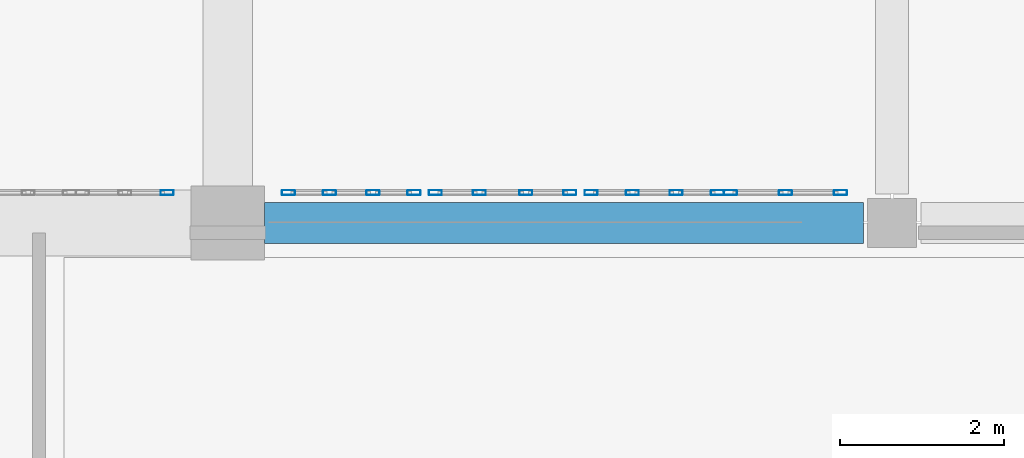
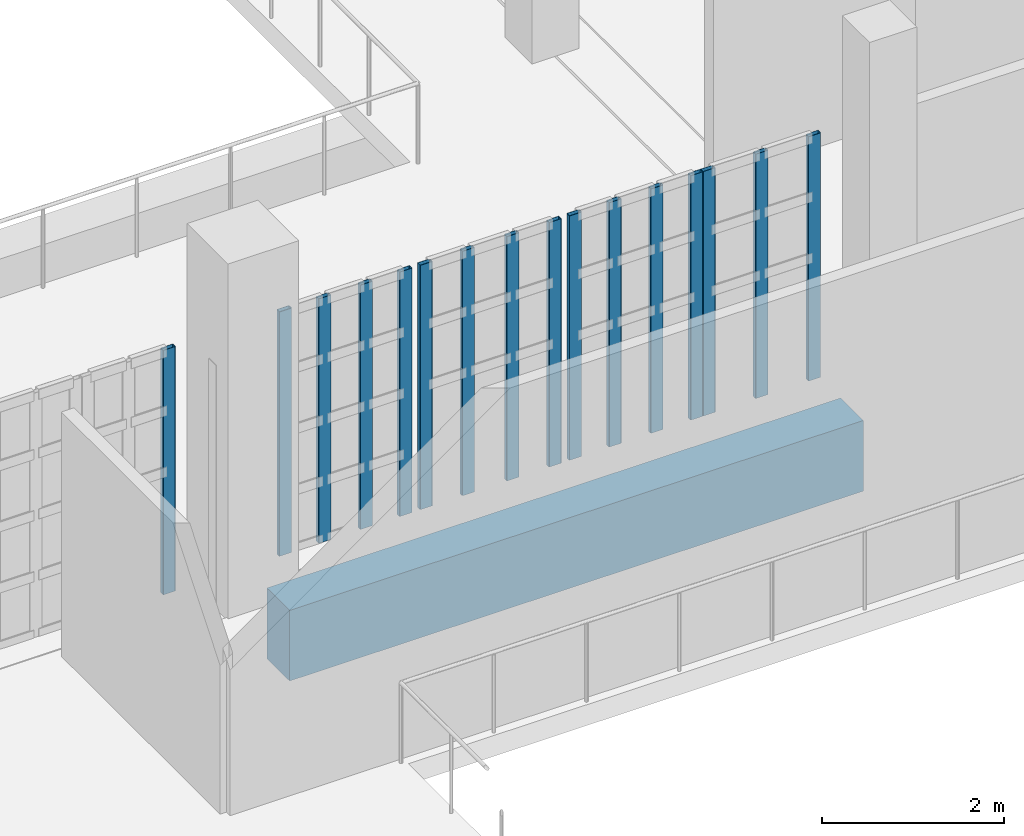
# One storey, part 39 of 104: 16 members, 1 beam, 5 elements without a shape of their own.
"""IFC4 building model written with IfcOpenShell, lengths in metres."""

from ifc_helpers import new_model, si_unit, direction, frame, origin, origin_2d, place, context, subcontext, project, spatial, rectangle, hollow_rectangle, extrude, material, material_profile, profile_set, type_object, element, aggregate, save


model = new_model("IFC4")

# Units and contexts
model_context = context("Model", 3, precision=1e-05, world=origin(), true_north=direction((0.0, 1.0)))
body_context = subcontext(model_context, "Body", "Model", "MODEL_VIEW")
ifc_project = project(units=[si_unit("LENGTHUNIT", "METRE"), si_unit("AREAUNIT", "SQUARE_METRE"), si_unit("VOLUMEUNIT", "CUBIC_METRE"), si_unit("PLANEANGLEUNIT", "RADIAN"), si_unit("MASSUNIT", "GRAM", prefix="KILO")], contexts=[model_context])

# Site, building, storey
site_placement = place(None, origin())
site = spatial("IfcSite", under=ifc_project, at=site_placement, CompositionType="ELEMENT")
building_placement = place(site_placement, origin())
building = spatial("IfcBuilding", under=site, at=building_placement, Name="Kaelora Sail Theatre", CompositionType="ELEMENT")
storey_placement = place(building_placement, frame((0.0, 0.0, 5.39990234375)))
storey = spatial("IfcBuildingStorey", under=building, at=storey_placement, Name="L01", CompositionType="ELEMENT", Elevation=5.39990234375)

# Curtain wall, member
ifc_material_1 = material(Name="Anodised aluminium and solar-control low-E IGU", Category="aluminium")
curtain_wall_type = type_object("IfcCurtainWallType", Name="ARC-CW-CW-FOY2", PredefinedType="NOTDEFINED", material=ifc_material_1)
curtain_wall_1_placement = place(storey_placement, origin())
curtain_wall_1 = element("IfcCurtainWall", 1, at=curtain_wall_1_placement, inside=storey, type_object=curtain_wall_type, Name="Glazed Foyer/Conservatory Curtain Wall FC1-S-L01-04", PredefinedType="NOTDEFINED")
ifc_material_2 = material(Name="Anodised aluminium 6063-T6", Category="aluminium")
ifc_material_profile_1 = material_profile(ifc_material_2, hollow_rectangle(XDim=0.06005859375, YDim=0.159912109375, WallThickness=0.00390625, InnerFilletRadius=0.00390625, OuterFilletRadius=0.008056640625, at=origin_2d()), Name="ALU-MULL 60x160x4")
ifc_profile_set_1 = profile_set([ifc_material_profile_1], Name="Anodised aluminium 6063-T6")
member_type = type_object("IfcMemberType", Name="ARC-MEM-ML-160", PredefinedType="MULLION", material=ifc_profile_set_1)
member_1_placement = place(storey_placement, frame((81.760009765625, 61.389892578125, 0.0), z_axis=(0.0, 0.0, 1.0), x_axis=(0.0, 1.0, 0.0)))
member_1 = element("IfcMember", 2, at=member_1_placement, type_object=member_type, Name="CW-FOY2 mullion 3", PredefinedType="MULLION", context=body_context, shape_type="SweptSolid", body=[
    extrude(hollow_rectangle(XDim=0.06005859375, YDim=0.159912109375, WallThickness=0.00390625, InnerFilletRadius=0.00390625, OuterFilletRadius=0.008056640625, at=origin_2d()), origin(), (0.0, 0.0, 1.0), 3.287109375),
])
aggregate(curtain_wall_1, [member_1])

# Curtain wall, members
curtain_wall_2_placement = place(storey_placement, origin())
curtain_wall_2 = element("IfcCurtainWall", 3, at=curtain_wall_2_placement, inside=storey, type_object=curtain_wall_type, Name="Glazed Foyer/Conservatory Curtain Wall FC1-S-L01-05", PredefinedType="NOTDEFINED")
member_2_placement = place(storey_placement, frame((83.239990234375, 61.389892578125, 0.0), z_axis=(0.0, 0.0, 1.0), x_axis=(0.0, 1.0, 0.0)))
member_2 = element("IfcMember", 4, at=member_2_placement, type_object=member_type, Name="CW-FOY2 mullion 1", PredefinedType="MULLION", context=body_context, shape_type="SweptSolid", body=[
    extrude(hollow_rectangle(XDim=0.06005859375, YDim=0.159912109375, WallThickness=0.00390625, InnerFilletRadius=0.00390625, OuterFilletRadius=0.008056640625, at=origin_2d()), origin(), (0.0, 0.0, 1.0), 3.287109375),
])
member_3_placement = place(storey_placement, frame((83.739990234375, 61.389892578125, 0.0), z_axis=(0.0, 0.0, 1.0), x_axis=(0.0, 1.0, 0.0)))
member_3 = element("IfcMember", 5, at=member_3_placement, type_object=member_type, Name="CW-FOY2 mullion 2", PredefinedType="MULLION", context=body_context, shape_type="SweptSolid", body=[
    extrude(hollow_rectangle(XDim=0.06005859375, YDim=0.159912109375, WallThickness=0.00390625, InnerFilletRadius=0.00390625, OuterFilletRadius=0.008056640625, at=origin_2d()), origin(), (0.0, 0.0, 1.0), 3.287109375),
])
member_4_placement = place(storey_placement, frame((84.27001953125, 61.389892578125, 0.0), z_axis=(0.0, 0.0, 1.0), x_axis=(0.0, 1.0, 0.0)))
member_4 = element("IfcMember", 6, at=member_4_placement, type_object=member_type, Name="CW-FOY2 mullion 3", PredefinedType="MULLION", context=body_context, shape_type="SweptSolid", body=[
    extrude(hollow_rectangle(XDim=0.06005859375, YDim=0.159912109375, WallThickness=0.00390625, InnerFilletRadius=0.00390625, OuterFilletRadius=0.008056640625, at=origin_2d()), origin(), (0.0, 0.0, 1.0), 3.287109375),
])
member_5_placement = place(storey_placement, frame((84.77001953125, 61.389892578125, 0.0), z_axis=(0.0, 0.0, 1.0), x_axis=(0.0, 1.0, 0.0)))
member_5 = element("IfcMember", 7, at=member_5_placement, type_object=member_type, Name="CW-FOY2 mullion 4", PredefinedType="MULLION", context=body_context, shape_type="SweptSolid", body=[
    extrude(hollow_rectangle(XDim=0.06005859375, YDim=0.159912109375, WallThickness=0.00390625, InnerFilletRadius=0.00390625, OuterFilletRadius=0.008056640625, at=origin_2d()), origin(), (0.0, 0.0, 1.0), 3.287109375),
])
aggregate(curtain_wall_2, [member_2, member_3, member_4, member_5])

curtain_wall_3_placement = place(storey_placement, origin())
curtain_wall_3 = element("IfcCurtainWall", 8, at=curtain_wall_3_placement, inside=storey, type_object=curtain_wall_type, Name="Glazed Foyer/Conservatory Curtain Wall FC1-S-L01-06", PredefinedType="NOTDEFINED")
member_6_placement = place(storey_placement, frame((85.030029296875, 61.389892578125, 0.0), z_axis=(0.0, 0.0, 1.0), x_axis=(0.0, 1.0, 0.0)))
member_6 = element("IfcMember", 9, at=member_6_placement, type_object=member_type, Name="CW-FOY2 mullion 1", PredefinedType="MULLION", context=body_context, shape_type="SweptSolid", body=[
    extrude(hollow_rectangle(XDim=0.06005859375, YDim=0.159912109375, WallThickness=0.00390625, InnerFilletRadius=0.00390625, OuterFilletRadius=0.008056640625, at=origin_2d()), origin(), (0.0, 0.0, 1.0), 3.287109375),
])
member_7_placement = place(storey_placement, frame((85.566650390625, 61.389892578125, 0.0), z_axis=(0.0, 0.0, 1.0), x_axis=(0.0, 1.0, 0.0)))
member_7 = element("IfcMember", 10, at=member_7_placement, type_object=member_type, Name="CW-FOY2 mullion 2", PredefinedType="MULLION", context=body_context, shape_type="SweptSolid", body=[
    extrude(hollow_rectangle(XDim=0.06005859375, YDim=0.159912109375, WallThickness=0.00390625, InnerFilletRadius=0.00390625, OuterFilletRadius=0.008056640625, at=origin_2d()), origin(), (0.0, 0.0, 1.0), 3.287109375),
])
member_8_placement = place(storey_placement, frame((86.13330078125, 61.389892578125, 0.0), z_axis=(0.0, 0.0, 1.0), x_axis=(0.0, 1.0, 0.0)))
member_8 = element("IfcMember", 11, at=member_8_placement, type_object=member_type, Name="CW-FOY2 mullion 3", PredefinedType="MULLION", context=body_context, shape_type="SweptSolid", body=[
    extrude(hollow_rectangle(XDim=0.06005859375, YDim=0.159912109375, WallThickness=0.00390625, InnerFilletRadius=0.00390625, OuterFilletRadius=0.008056640625, at=origin_2d()), origin(), (0.0, 0.0, 1.0), 3.287109375),
])
member_9_placement = place(storey_placement, frame((86.669921875, 61.389892578125, 0.0), z_axis=(0.0, 0.0, 1.0), x_axis=(0.0, 1.0, 0.0)))
member_9 = element("IfcMember", 12, at=member_9_placement, type_object=member_type, Name="CW-FOY2 mullion 4", PredefinedType="MULLION", context=body_context, shape_type="SweptSolid", body=[
    extrude(hollow_rectangle(XDim=0.06005859375, YDim=0.159912109375, WallThickness=0.00390625, InnerFilletRadius=0.00390625, OuterFilletRadius=0.008056640625, at=origin_2d()), origin(), (0.0, 0.0, 1.0), 3.287109375),
])
aggregate(curtain_wall_3, [member_6, member_7, member_8, member_9])

curtain_wall_4_placement = place(storey_placement, origin())
curtain_wall_4 = element("IfcCurtainWall", 13, at=curtain_wall_4_placement, inside=storey, type_object=curtain_wall_type, Name="Glazed Foyer/Conservatory Curtain Wall FC1-S-L01-07", PredefinedType="NOTDEFINED")
member_10_placement = place(storey_placement, frame((86.929931640625, 61.389892578125, 0.0), z_axis=(0.0, 0.0, 1.0), x_axis=(0.0, 1.0, 0.0)))
member_10 = element("IfcMember", 14, at=member_10_placement, type_object=member_type, Name="CW-FOY2 mullion 1", PredefinedType="MULLION", context=body_context, shape_type="SweptSolid", body=[
    extrude(hollow_rectangle(XDim=0.06005859375, YDim=0.159912109375, WallThickness=0.00390625, InnerFilletRadius=0.00390625, OuterFilletRadius=0.008056640625, at=origin_2d()), origin(), (0.0, 0.0, 1.0), 3.287109375),
])
member_11_placement = place(storey_placement, frame((87.433349609375, 61.389892578125, 0.0), z_axis=(0.0, 0.0, 1.0), x_axis=(0.0, 1.0, 0.0)))
member_11 = element("IfcMember", 15, at=member_11_placement, type_object=member_type, Name="CW-FOY2 mullion 2", PredefinedType="MULLION", context=body_context, shape_type="SweptSolid", body=[
    extrude(hollow_rectangle(XDim=0.06005859375, YDim=0.159912109375, WallThickness=0.00390625, InnerFilletRadius=0.00390625, OuterFilletRadius=0.008056640625, at=origin_2d()), origin(), (0.0, 0.0, 1.0), 3.287109375),
])
member_12_placement = place(storey_placement, frame((87.966552734375, 61.389892578125, 0.0), z_axis=(0.0, 0.0, 1.0), x_axis=(0.0, 1.0, 0.0)))
member_12 = element("IfcMember", 16, at=member_12_placement, type_object=member_type, Name="CW-FOY2 mullion 3", PredefinedType="MULLION", context=body_context, shape_type="SweptSolid", body=[
    extrude(hollow_rectangle(XDim=0.06005859375, YDim=0.159912109375, WallThickness=0.00390625, InnerFilletRadius=0.00390625, OuterFilletRadius=0.008056640625, at=origin_2d()), origin(), (0.0, 0.0, 1.0), 3.287109375),
])
member_13_placement = place(storey_placement, frame((88.469970703125, 61.389892578125, 0.0), z_axis=(0.0, 0.0, 1.0), x_axis=(0.0, 1.0, 0.0)))
member_13 = element("IfcMember", 17, at=member_13_placement, type_object=member_type, Name="CW-FOY2 mullion 4", PredefinedType="MULLION", context=body_context, shape_type="SweptSolid", body=[
    extrude(hollow_rectangle(XDim=0.06005859375, YDim=0.159912109375, WallThickness=0.00390625, InnerFilletRadius=0.00390625, OuterFilletRadius=0.008056640625, at=origin_2d()), origin(), (0.0, 0.0, 1.0), 3.287109375),
])
aggregate(curtain_wall_4, [member_10, member_11, member_12, member_13])

curtain_wall_5_placement = place(storey_placement, origin())
curtain_wall_5 = element("IfcCurtainWall", 18, at=curtain_wall_5_placement, inside=storey, type_object=curtain_wall_type, Name="Glazed Foyer/Conservatory Curtain Wall FC1-S-L01-08", PredefinedType="NOTDEFINED")
member_14_placement = place(storey_placement, frame((88.6298828125, 61.389892578125, 0.0), z_axis=(0.0, 0.0, 1.0), x_axis=(0.0, 1.0, 0.0)))
member_14 = element("IfcMember", 19, at=member_14_placement, type_object=member_type, Name="CW-FOY2 mullion 1", PredefinedType="MULLION", context=body_context, shape_type="SweptSolid", body=[
    extrude(hollow_rectangle(XDim=0.06005859375, YDim=0.159912109375, WallThickness=0.00390625, InnerFilletRadius=0.00390625, OuterFilletRadius=0.008056640625, at=origin_2d()), origin(), (0.0, 0.0, 1.0), 3.287109375),
])
member_15_placement = place(storey_placement, frame((89.300048828125, 61.389892578125, 0.0), z_axis=(0.0, 0.0, 1.0), x_axis=(0.0, 1.0, 0.0)))
member_15 = element("IfcMember", 20, at=member_15_placement, type_object=member_type, Name="CW-FOY2 mullion 2", PredefinedType="MULLION", context=body_context, shape_type="SweptSolid", body=[
    extrude(hollow_rectangle(XDim=0.06005859375, YDim=0.159912109375, WallThickness=0.00390625, InnerFilletRadius=0.00390625, OuterFilletRadius=0.008056640625, at=origin_2d()), origin(), (0.0, 0.0, 1.0), 3.287109375),
])
member_16_placement = place(storey_placement, frame((89.969970703125, 61.389892578125, 0.0), z_axis=(0.0, 0.0, 1.0), x_axis=(0.0, 1.0, 0.0)))
member_16 = element("IfcMember", 21, at=member_16_placement, type_object=member_type, Name="CW-FOY2 mullion 3", PredefinedType="MULLION", context=body_context, shape_type="SweptSolid", body=[
    extrude(hollow_rectangle(XDim=0.06005859375, YDim=0.159912109375, WallThickness=0.00390625, InnerFilletRadius=0.00390625, OuterFilletRadius=0.008056640625, at=origin_2d()), origin(), (0.0, 0.0, 1.0), 3.287109375),
])
aggregate(curtain_wall_5, [member_14, member_15, member_16])

# Beam
ifc_material_3 = material(Name="Concrete C45/55", Category="concrete")
ifc_material_profile_2 = material_profile(ifc_material_3, rectangle(XDim=0.5, YDim=0.949951171875, at=origin_2d()), Name="RC-GRD 500x950")
ifc_profile_set_2 = profile_set([ifc_material_profile_2], Name="Concrete C45/55")
beam_type = type_object("IfcBeamType", Name="STR-BM-GR-RC5095", PredefinedType="T_BEAM", material=ifc_profile_set_2)
beam_placement = place(storey_placement, frame((82.949951171875, 61.02001953125, -0.77001953125), z_axis=(1.0, 0.0, 0.0), x_axis=(0.0, 1.0, 0.0)))
element("IfcBeam", 22, at=beam_placement, inside=storey, type_object=beam_type, Name="Primary beam I 11-12 (L01)", PredefinedType="T_BEAM", context=body_context, shape_type="SweptSolid", body=[
    extrude(rectangle(XDim=0.5, YDim=0.949951171875, at=origin_2d()), origin(), (0.0, 0.0, 1.0), 7.300048828125),
])

save(model, "model.ifc")
